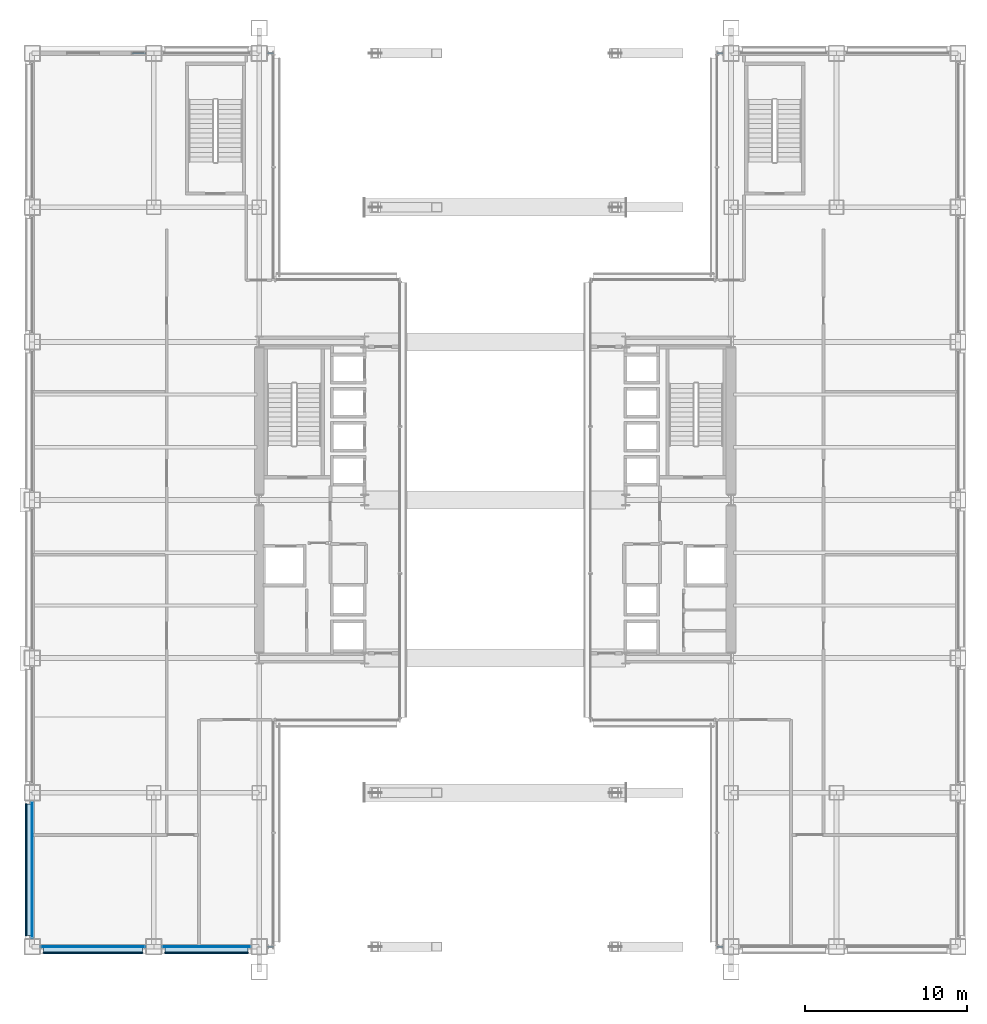
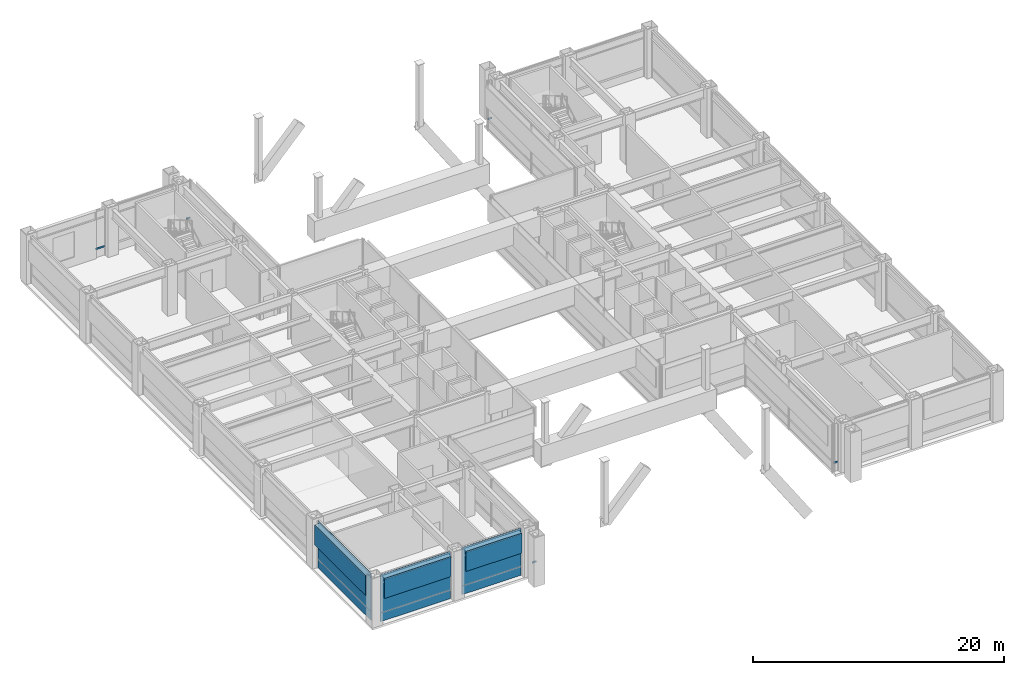
# One storey, part 28 of 42: 12 plates, 5 members, 8 elements without a shape of their own.
"""IFC4 building model written with IfcOpenShell, lengths in metres."""

from ifc_helpers import new_model, si_unit, direction, frame, origin, origin_2d, place, context, subcontext, project, spatial, rectangle, hollow_rectangle, extrude, material, layer, layer_set, material_profile, profile_set, type_object, element, aggregate, save


model = new_model("IFC4")

# Units and contexts
model_context = context("Model", 3, precision=1e-05, world=origin(), true_north=direction((0.0, 1.0)))
body_context = subcontext(model_context, "Body", "Model", "MODEL_VIEW")
ifc_project = project(units=[si_unit("LENGTHUNIT", "METRE"), si_unit("AREAUNIT", "SQUARE_METRE"), si_unit("VOLUMEUNIT", "CUBIC_METRE"), si_unit("PLANEANGLEUNIT", "RADIAN"), si_unit("MASSUNIT", "GRAM", prefix="KILO")], contexts=[model_context])

# Site, building, storey
site_placement = place(None, origin())
site = spatial("IfcSite", under=ifc_project, at=site_placement, CompositionType="ELEMENT")
building_placement = place(site_placement, origin())
building = spatial("IfcBuilding", under=site, at=building_placement, Name="Brelmoor Portico Tower", CompositionType="ELEMENT")
storey_placement = place(building_placement, frame((0.0, 0.0, 9.60009765625)))
storey = spatial("IfcBuildingStorey", under=building, at=storey_placement, Name="L02", CompositionType="ELEMENT", Elevation=9.60009765625)

# Curtain wall, member
ifc_material_1 = material(Name="Anodised Aluminium Alloy 6063-T6", Category="aluminium")
ifc_layer_1 = layer(ifc_material_1, 0.179931640625)
ifc_layer_set_1 = layer_set([ifc_layer_1], Name="Anodised Aluminium Alloy 6063-T6")
curtain_wall_type = type_object("IfcCurtainWallType", Name="CW-PODIUM-ARCH", PredefinedType="NOTDEFINED", material=ifc_layer_set_1)
curtain_wall_1_placement = place(storey_placement, origin())
curtain_wall_1 = element("IfcCurtainWall", 1, at=curtain_wall_1_placement, inside=storey, type_object=curtain_wall_type, Name="L02 Curtain Wall CW-L02-01-3", PredefinedType="NOTDEFINED")
ifc_material_profile = material_profile(ifc_material_1, hollow_rectangle(XDim=0.070068359375, YDim=0.159912109375, WallThickness=0.00390625, at=origin_2d()), Name="ALU TRANSOM 70x160")
ifc_profile_set = profile_set([ifc_material_profile], Name="Anodised Aluminium Alloy 6063-T6")
member_type = type_object("IfcMemberType", Name="MB-CW-TRAN-160", PredefinedType="USERDEFINED", material=ifc_profile_set)
member_1_placement = place(storey_placement, frame((-14.0400390625, -27.550048828125, 0.849853515625), z_axis=(1.0, 0.0, 0.0), x_axis=(0.0, 1.0, 0.0)))
member_1 = element("IfcMember", 2, at=member_1_placement, type_object=member_type, Name="CW-L02-01-3 Transom 1-00", ObjectType="TRANSOM", PredefinedType="USERDEFINED", context=body_context, shape_type="SweptSolid", body=[
    extrude(hollow_rectangle(XDim=0.070068359375, YDim=0.159912109375, WallThickness=0.00390625, at=origin_2d()), origin(), (0.0, 0.0, 1.0), 0.360107421875),
])
aggregate(curtain_wall_1, [member_1])

curtain_wall_2_placement = place(storey_placement, origin())
curtain_wall_2 = element("IfcCurtainWall", 3, at=curtain_wall_2_placement, inside=storey, type_object=curtain_wall_type, Name="L02 Curtain Wall CW-L02-02-1", PredefinedType="NOTDEFINED")
member_2_placement = place(storey_placement, frame((13.679931640625, -27.550048828125, 0.849853515625), z_axis=(1.0, 0.0, 0.0), x_axis=(0.0, 1.0, 0.0)))
member_2 = element("IfcMember", 4, at=member_2_placement, type_object=member_type, Name="CW-L02-02-1 Transom 1-00", ObjectType="TRANSOM", PredefinedType="USERDEFINED", context=body_context, shape_type="SweptSolid", body=[
    extrude(hollow_rectangle(XDim=0.070068359375, YDim=0.159912109375, WallThickness=0.00390625, at=origin_2d()), origin(), (0.0, 0.0, 1.0), 0.360107421875),
])
aggregate(curtain_wall_2, [member_2])

curtain_wall_3_placement = place(storey_placement, origin())
curtain_wall_3 = element("IfcCurtainWall", 5, at=curtain_wall_3_placement, inside=storey, type_object=curtain_wall_type, Name="L02 Curtain Wall CW-L02-03-1", PredefinedType="NOTDEFINED")
member_3_placement = place(storey_placement, frame((-22.39990234375, 27.550048828125, 0.849853515625), z_axis=(1.0, 0.0, 0.0), x_axis=(0.0, 1.0, 0.0)))
member_3 = element("IfcMember", 6, at=member_3_placement, type_object=member_type, Name="CW-L02-03-1 Transom 1-00", ObjectType="TRANSOM", PredefinedType="USERDEFINED", context=body_context, shape_type="SweptSolid", body=[
    extrude(hollow_rectangle(XDim=0.070068359375, YDim=0.159912109375, WallThickness=0.00390625, at=origin_2d()), origin(), (0.0, 0.0, 1.0), 0.83984375),
])
aggregate(curtain_wall_3, [member_3])

curtain_wall_4_placement = place(storey_placement, origin())
curtain_wall_4 = element("IfcCurtainWall", 7, at=curtain_wall_4_placement, inside=storey, type_object=curtain_wall_type, Name="L02 Curtain Wall CW-L02-03-3", PredefinedType="NOTDEFINED")
member_4_placement = place(storey_placement, frame((-14.0400390625, 27.550048828125, 0.849853515625), z_axis=(1.0, 0.0, 0.0), x_axis=(0.0, 1.0, 0.0)))
member_4 = element("IfcMember", 8, at=member_4_placement, type_object=member_type, Name="CW-L02-03-3 Transom 1-00", ObjectType="TRANSOM", PredefinedType="USERDEFINED", context=body_context, shape_type="SweptSolid", body=[
    extrude(hollow_rectangle(XDim=0.070068359375, YDim=0.159912109375, WallThickness=0.00390625, at=origin_2d()), origin(), (0.0, 0.0, 1.0), 0.360107421875),
])
aggregate(curtain_wall_4, [member_4])

curtain_wall_5_placement = place(storey_placement, origin())
curtain_wall_5 = element("IfcCurtainWall", 9, at=curtain_wall_5_placement, inside=storey, type_object=curtain_wall_type, Name="L02 Curtain Wall CW-L02-04-1", PredefinedType="NOTDEFINED")
member_5_placement = place(storey_placement, frame((13.679931640625, 27.550048828125, 0.849853515625), z_axis=(1.0, 0.0, 0.0), x_axis=(0.0, 1.0, 0.0)))
member_5 = element("IfcMember", 10, at=member_5_placement, type_object=member_type, Name="CW-L02-04-1 Transom 1-00", ObjectType="TRANSOM", PredefinedType="USERDEFINED", context=body_context, shape_type="SweptSolid", body=[
    extrude(hollow_rectangle(XDim=0.070068359375, YDim=0.159912109375, WallThickness=0.00390625, at=origin_2d()), origin(), (0.0, 0.0, 1.0), 0.360107421875),
])
aggregate(curtain_wall_5, [member_5])

# Curtain wall, plate
curtain_wall_6_placement = place(storey_placement, origin())
curtain_wall_6 = element("IfcCurtainWall", 11, at=curtain_wall_6_placement, inside=storey, type_object=curtain_wall_type, Name="L02 Curtain Wall CW-L02-01-1", PredefinedType="NOTDEFINED")
ifc_material_2 = material(Name="Double-Silver Low-E Insulated Glazing", Category="glass")
ifc_layer_2 = layer(ifc_material_2, 0.035888671875)
ifc_layer_set_2 = layer_set([ifc_layer_2], Name="Double-Silver Low-E Insulated Glazing")
plate_type_1 = type_object("IfcPlateType", Name="PT-CW-GLASS", PredefinedType="CURTAIN_PANEL", material=ifc_layer_set_2)
plate_1_placement = place(storey_placement, frame((-24.800048828125, -27.550048828125, 0.849853515625), z_axis=(0.0, 0.0, 1.0), x_axis=(1.0, 0.0, 0.0)))
plate_1 = element("IfcPlate", 12, at=plate_1_placement, type_object=plate_type_1, Name="CW-L02-01-1 Vision Glass Panel 00", PredefinedType="CURTAIN_PANEL", context=body_context, shape_type="SweptSolid", body=[
    extrude(rectangle(XDim=6.449951171875, YDim=0.035888671875, at=origin_2d()), origin(), (0.0, 0.0, 1.0), 3.72998046875),
])

curtain_wall_7_placement = place(storey_placement, origin())
curtain_wall_7 = element("IfcCurtainWall", 13, at=curtain_wall_7_placement, inside=storey, type_object=curtain_wall_type, Name="L02 Curtain Wall CW-L02-01-2", PredefinedType="NOTDEFINED")
plate_2_placement = place(storey_placement, frame((-17.800048828125, -27.550048828125, 0.849853515625), z_axis=(0.0, 0.0, 1.0), x_axis=(1.0, 0.0, 0.0)))
plate_2 = element("IfcPlate", 14, at=plate_2_placement, type_object=plate_type_1, Name="CW-L02-01-2 Vision Glass Panel 00", PredefinedType="CURTAIN_PANEL", context=body_context, shape_type="SweptSolid", body=[
    extrude(rectangle(XDim=5.449951171875, YDim=0.035888671875, at=origin_2d()), origin(), (0.0, 0.0, 1.0), 3.72998046875),
])

curtain_wall_8_placement = place(storey_placement, origin())
curtain_wall_8 = element("IfcCurtainWall", 15, at=curtain_wall_8_placement, inside=storey, type_object=curtain_wall_type, Name="L02 Curtain Wall CW-L02-05-1", PredefinedType="NOTDEFINED")
plate_3_placement = place(storey_placement, frame((-28.550048828125, -22.800048828125, 0.849853515625), z_axis=(0.0, 0.0, 1.0), x_axis=(0.0, 1.0, 0.0)))
plate_3 = element("IfcPlate", 16, at=plate_3_placement, type_object=plate_type_1, Name="CW-L02-05-1 Vision Glass Panel 00", PredefinedType="CURTAIN_PANEL", context=body_context, shape_type="SweptSolid", body=[
    extrude(rectangle(XDim=8.449951171875, YDim=0.035888671875, at=origin_2d()), origin(), (0.0, 0.0, 1.0), 3.72998046875),
])

# Plate
ifc_material_3 = material(Name="Pale Champagne Anodised Aluminium Panel", Category="aluminium")
ifc_layer_3 = layer(ifc_material_3, 0.050048828125)
ifc_layer_set_3 = layer_set([ifc_layer_3], Name="Pale Champagne Anodised Aluminium Panel")
plate_type_2 = type_object("IfcPlateType", Name="PT-CW-SPANDREL", PredefinedType="SHEET", material=ifc_layer_set_3)
plate_4_placement = place(storey_placement, frame((-24.800048828125, -27.550048828125, -0.000244140625), z_axis=(0.0, 0.0, 1.0), x_axis=(1.0, 0.0, 0.0)))
plate_4 = element("IfcPlate", 17, at=plate_4_placement, type_object=plate_type_2, Name="CW-L02-01-1 Spandrel Panel 00", PredefinedType="SHEET", context=body_context, shape_type="SweptSolid", body=[
    extrude(rectangle(XDim=6.449951171875, YDim=0.050048828125, at=origin_2d()), origin(), (0.0, 0.0, 1.0), 0.85009765625),
])

aggregate(curtain_wall_6, [plate_4, plate_1])

plate_5_placement = place(storey_placement, frame((-17.800048828125, -27.550048828125, -0.000244140625), z_axis=(0.0, 0.0, 1.0), x_axis=(1.0, 0.0, 0.0)))
plate_5 = element("IfcPlate", 18, at=plate_5_placement, type_object=plate_type_2, Name="CW-L02-01-2 Spandrel Panel 00", PredefinedType="SHEET", context=body_context, shape_type="SweptSolid", body=[
    extrude(rectangle(XDim=5.449951171875, YDim=0.050048828125, at=origin_2d()), origin(), (0.0, 0.0, 1.0), 0.85009765625),
])

aggregate(curtain_wall_7, [plate_5, plate_2])

plate_6_placement = place(storey_placement, frame((-28.550048828125, -22.800048828125, -0.000244140625), z_axis=(0.0, 0.0, 1.0), x_axis=(0.0, 1.0, 0.0)))
plate_6 = element("IfcPlate", 19, at=plate_6_placement, type_object=plate_type_2, Name="CW-L02-05-1 Spandrel Panel 00", PredefinedType="SHEET", context=body_context, shape_type="SweptSolid", body=[
    extrude(rectangle(XDim=8.449951171875, YDim=0.050048828125, at=origin_2d()), origin(), (0.0, 0.0, 1.0), 0.85009765625),
])

aggregate(curtain_wall_8, [plate_6, plate_3])

# Plates
ifc_material_4 = material(Name="Powder-Coated Aluminium Shuttered Jalousie Louvre", Category="aluminium")
ifc_layer_4 = layer(ifc_material_4, 0.06005859375)
ifc_layer_set_4 = layer_set([ifc_layer_4], Name="Powder-Coated Aluminium Shuttered Jalousie Louvre")
plate_type_3 = type_object("IfcPlateType", Name="PT-JALOUSIE-SHUTTER", PredefinedType="SHEET", material=ifc_layer_set_4)
plate_7_placement = place(storey_placement, frame((-24.800048828125, -27.929931640625, 2.4404296875), z_axis=(0.0, 0.0, 1.0), x_axis=(1.0, 0.0, 0.0)))
element("IfcPlate", 20, at=plate_7_placement, inside=storey, type_object=plate_type_3, Name="CW-L02-01-1 Perforated Jalousie Solar Screen", PredefinedType="SHEET", context=body_context, shape_type="SweptSolid", body=[
    extrude(rectangle(XDim=6.1201171875, YDim=0.06494140625, at=origin_2d()), origin(), (0.0, 0.0, 1.0), 1.939697265625),
])
plate_8_placement = place(storey_placement, frame((-17.800048828125, -27.929931640625, 2.4404296875), z_axis=(0.0, 0.0, 1.0), x_axis=(1.0, 0.0, 0.0)))
element("IfcPlate", 21, at=plate_8_placement, inside=storey, type_object=plate_type_3, Name="CW-L02-01-2 Perforated Jalousie Solar Screen", PredefinedType="SHEET", context=body_context, shape_type="SweptSolid", body=[
    extrude(rectangle(XDim=5.1201171875, YDim=0.06494140625, at=origin_2d()), origin(), (0.0, 0.0, 1.0), 1.939697265625),
])
plate_9_placement = place(storey_placement, frame((-28.929931640625, -22.800048828125, 2.4404296875), z_axis=(0.0, 0.0, 1.0), x_axis=(0.0, 1.0, 0.0)))
element("IfcPlate", 22, at=plate_9_placement, inside=storey, type_object=plate_type_3, Name="CW-L02-05-1 Perforated Jalousie Solar Screen", PredefinedType="SHEET", context=body_context, shape_type="SweptSolid", body=[
    extrude(rectangle(XDim=8.1201171875, YDim=0.06494140625, at=origin_2d()), origin(), (0.0, 0.0, 1.0), 1.939697265625),
])
ifc_material_5 = material(Name="Pale Champagne Perforated Aluminium Solar Screen", Category="aluminium")
ifc_layer_5 = layer(ifc_material_5, 0.054931640625)
ifc_layer_set_5 = layer_set([ifc_layer_5], Name="Pale Champagne Perforated Aluminium Solar Screen")
plate_type_4 = type_object("IfcPlateType", Name="PT-SOLAR-LOUVRE", PredefinedType="SHEET", material=ifc_layer_set_5)
plate_10_placement = place(storey_placement, frame((-24.800048828125, -27.760009765625, 4.27001953125), z_axis=(0.0, 0.0, 1.0), x_axis=(1.0, 0.0, 0.0)))
element("IfcPlate", 23, at=plate_10_placement, inside=storey, type_object=plate_type_4, Name="CW-L02-01-1 Caribbean Brise-Soleil Solar Screen", PredefinedType="SHEET", context=body_context, shape_type="SweptSolid", body=[
    extrude(rectangle(XDim=6.1201171875, YDim=0.4599609375, at=origin_2d()), origin(), (0.0, 0.0, 1.0), 0.139892578125),
])
plate_11_placement = place(storey_placement, frame((-17.800048828125, -27.760009765625, 4.27001953125), z_axis=(0.0, 0.0, 1.0), x_axis=(1.0, 0.0, 0.0)))
element("IfcPlate", 24, at=plate_11_placement, inside=storey, type_object=plate_type_4, Name="CW-L02-01-2 Caribbean Brise-Soleil Solar Screen", PredefinedType="SHEET", context=body_context, shape_type="SweptSolid", body=[
    extrude(rectangle(XDim=5.1201171875, YDim=0.4599609375, at=origin_2d()), origin(), (0.0, 0.0, 1.0), 0.139892578125),
])
plate_12_placement = place(storey_placement, frame((-28.760009765625, -22.800048828125, 4.27001953125), z_axis=(0.0, 0.0, 1.0), x_axis=(0.0, 1.0, 0.0)))
element("IfcPlate", 25, at=plate_12_placement, inside=storey, type_object=plate_type_4, Name="CW-L02-05-1 Caribbean Brise-Soleil Solar Screen", PredefinedType="SHEET", context=body_context, shape_type="SweptSolid", body=[
    extrude(rectangle(XDim=8.1201171875, YDim=0.4599609375, at=origin_2d()), origin(), (0.0, 0.0, 1.0), 0.139892578125),
])

save(model, "model.ifc")
